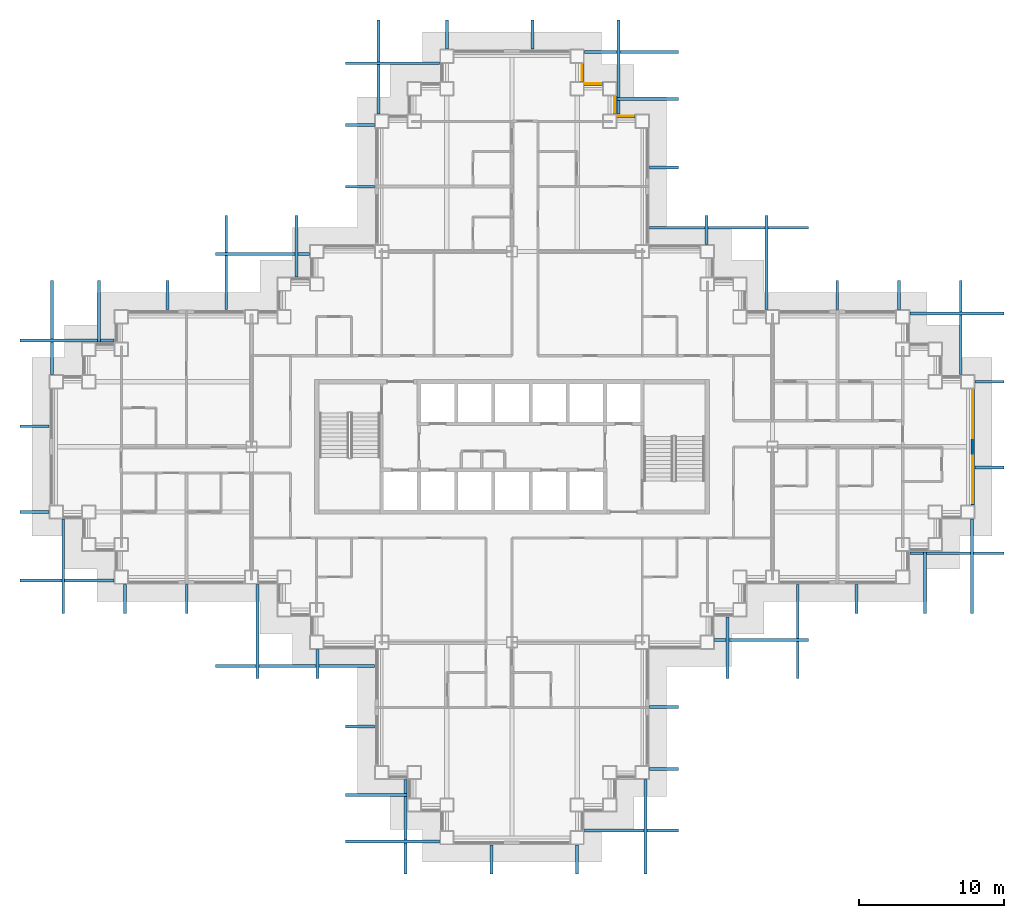
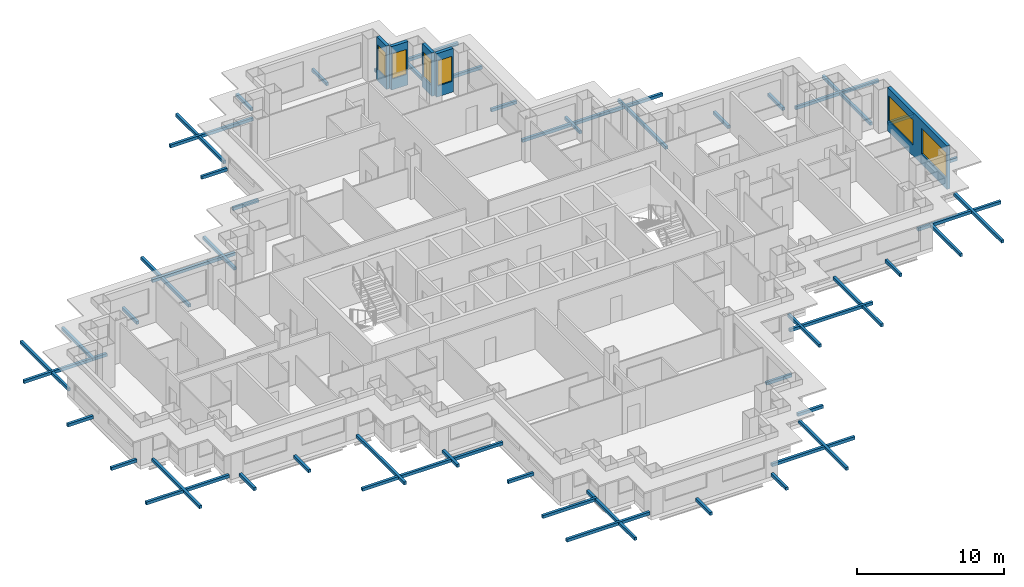
# One storey, part 10 of 15: 52 discrete accessories, 6 windows, 5 walls, 6 openings.
"""IFC4 building model written with IfcOpenShell, lengths in metres."""

from ifc_helpers import new_model, si_unit, direction, frame, frame_2d, origin, origin_2d, place, context, subcontext, project, spatial, rectangle, extrude, material, layer, layer_set, type_object, element, fill, save


model = new_model("IFC4")

# Units and contexts
model_context = context("Model", 3, precision=1e-05, world=origin(), true_north=direction((0.0, 1.0)))
body_context = subcontext(model_context, "Body", "Model", "MODEL_VIEW")
ifc_project = project(units=[si_unit("LENGTHUNIT", "METRE"), si_unit("AREAUNIT", "SQUARE_METRE"), si_unit("VOLUMEUNIT", "CUBIC_METRE"), si_unit("PLANEANGLEUNIT", "RADIAN"), si_unit("MASSUNIT", "GRAM", prefix="KILO")], contexts=[model_context])

# Site, building, storey
site_placement = place(None, origin())
site = spatial("IfcSite", under=ifc_project, at=site_placement, CompositionType="ELEMENT")
building_placement = place(site_placement, origin())
building = spatial("IfcBuilding", under=site, at=building_placement, Name="Caravel Reach Hotel and Residences", CompositionType="ELEMENT")
storey_placement = place(building_placement, frame((0.0, 0.0, 81.60009765625)))
storey = spatial("IfcBuildingStorey", under=building, at=storey_placement, Name="L19", CompositionType="ELEMENT", Elevation=81.60009765625)

# Wall, openings, windows
ifc_material_1 = material(Name="Insulated rainscreen wall, aluminium cladding", Category="aluminium")
ifc_layer = layer(ifc_material_1, 0.25)
ifc_layer_set = layer_set([ifc_layer], Name="EW1 Tower rainscreen wall")
wall_type = type_object("IfcWallType", Name="EW1 Tower rainscreen wall", PredefinedType="SOLIDWALL", material=ifc_layer_set)
wall_1_placement = place(storey_placement, frame((63.35009765625, 22.97509765625, 0.0), z_axis=(0.0, 0.0, 1.0), x_axis=(0.0, 1.0, 0.0)))
wall_1 = element("IfcWall", 1, at=wall_1_placement, inside=storey, type_object=wall_type, Name="External wall L19 E20.1", PredefinedType="SOLIDWALL", context=body_context, shape_type="SweptSolid", body=[
    extrude(rectangle(XDim=8.0498046875, YDim=0.25, at=frame_2d((4.02490234375, 0.0))), origin(), (0.0, 0.0, 1.0), 3.599853515625),
])
opening_1_placement = place(wall_1_placement, frame((0.125, 0.0, 0.89990234375)))
opening_1 = element("IfcOpeningElement", 2, at=opening_1_placement, cuts=wall_1, Name="Opening WN4", PredefinedType="OPENING", context=body_context, shape_type="SweptSolid", body=[
    extrude(rectangle(XDim=3.300048828125, YDim=2.080078125, at=frame_2d((1.64990234375, 1.0400390625))), frame((0.0, 0.135009765625, 0.0), z_axis=(0.0, -1.0, 0.0), x_axis=(1.0, 0.0, 0.0)), (0.0, 0.0, 1.0), 0.27001953125),
])
opening_2_placement = place(wall_1_placement, frame((4.625, 0.0, 0.89990234375)))
opening_2 = element("IfcOpeningElement", 3, at=opening_2_placement, cuts=wall_1, Name="Opening WN4", PredefinedType="OPENING", context=body_context, shape_type="SweptSolid", body=[
    extrude(rectangle(XDim=3.300048828125, YDim=2.080078125, at=frame_2d((1.64990234375, 1.0400390625))), frame((0.0, 0.135009765625, 0.0), z_axis=(0.0, -1.0, 0.0), x_axis=(1.0, 0.0, 0.0)), (0.0, 0.0, 1.0), 0.27001953125),
])
ifc_material_2 = material(Name="Dark low-e glazing in black aluminium frame", Category="aluminium")
window_type_1 = type_object("IfcWindowType", Name="Hotel guest room window 3300 x 2080", PartitioningType="SINGLE_PANEL", PredefinedType="WINDOW", material=ifc_material_2)
window_1_placement = place(opening_1_placement, origin())
window_1 = element("IfcWindow", 4, at=window_1_placement, inside=storey, type_object=window_type_1, Name="Window L19 E20.1.1", OverallHeight=2.080078125, OverallWidth=3.300048828125, PartitioningType="SINGLE_PANEL", PredefinedType="WINDOW", context=body_context, shape_type="SweptSolid", body=[
    extrude(rectangle(XDim=3.300048828125, YDim=2.080078125, at=frame_2d((1.64990234375, 1.0400390625))), frame((0.0, 0.030029296875, 0.0), z_axis=(0.0, -1.0, 0.0), x_axis=(1.0, 0.0, 0.0)), (0.0, 0.0, 1.0), 0.06005859375),
])
fill(opening_1, window_1)
window_2_placement = place(opening_2_placement, origin())
window_2 = element("IfcWindow", 5, at=window_2_placement, inside=storey, type_object=window_type_1, Name="Window L19 E20.1.2", OverallHeight=2.080078125, OverallWidth=3.300048828125, PartitioningType="SINGLE_PANEL", PredefinedType="WINDOW", context=body_context, shape_type="SweptSolid", body=[
    extrude(rectangle(XDim=3.300048828125, YDim=2.080078125, at=frame_2d((1.64990234375, 1.0400390625))), frame((0.0, 0.030029296875, 0.0), z_axis=(0.0, -1.0, 0.0), x_axis=(1.0, 0.0, 0.0)), (0.0, 0.0, 1.0), 0.06005859375),
])
fill(opening_2, window_2)

# Wall, opening, window
wall_2_placement = place(storey_placement, frame((40.02490234375, 49.85009765625, 0.0), z_axis=(0.0, 0.0, 1.0), x_axis=(-1.0, 0.0, 0.0)))
wall_2 = element("IfcWall", 6, at=wall_2_placement, inside=storey, type_object=wall_type, Name="External wall L19 N31.1", PredefinedType="SOLIDWALL", context=body_context, shape_type="SweptSolid", body=[
    extrude(rectangle(XDim=1.2998046875, YDim=0.25, at=frame_2d((0.64990234375, 0.0))), origin(), (0.0, 0.0, 1.0), 3.599853515625),
])
opening_3_placement = place(wall_2_placement, frame((0.10009765625, 0.0, 0.89990234375)))
opening_3 = element("IfcOpeningElement", 7, at=opening_3_placement, cuts=wall_2, Name="Opening WN5", PredefinedType="OPENING", context=body_context, shape_type="SweptSolid", body=[
    extrude(rectangle(XDim=1.10009765625, YDim=2.080078125, at=frame_2d((0.550048828125, 1.0400390625))), frame((0.0, 0.135009765625, 0.0), z_axis=(0.0, -1.0, 0.0), x_axis=(1.0, 0.0, 0.0)), (0.0, 0.0, 1.0), 0.27001953125),
])
ifc_material_3 = material(Name="Dark low-e glazing in black aluminium frame", Category="aluminium")
window_type_2 = type_object("IfcWindowType", Name="Hotel suite corner window 1100 x 2080", PartitioningType="SINGLE_PANEL", PredefinedType="WINDOW", material=ifc_material_3)
window_3_placement = place(opening_3_placement, origin())
window_3 = element("IfcWindow", 8, at=window_3_placement, inside=storey, type_object=window_type_2, Name="Window L19 N31.1.1", OverallHeight=2.080078125, OverallWidth=1.10009765625, PartitioningType="SINGLE_PANEL", PredefinedType="WINDOW", context=body_context, shape_type="SweptSolid", body=[
    extrude(rectangle(XDim=1.10009765625, YDim=2.080078125, at=frame_2d((0.550048828125, 1.0400390625))), frame((0.0, 0.030029296875, 0.0), z_axis=(0.0, -1.0, 0.0), x_axis=(1.0, 0.0, 0.0)), (0.0, 0.0, 1.0), 0.06005859375),
])
fill(opening_3, window_3)

wall_3_placement = place(storey_placement, frame((38.60009765625, 49.97509765625, 0.0), z_axis=(0.0, 0.0, 1.0), x_axis=(0.0, 1.0, 0.0)))
wall_3 = element("IfcWall", 9, at=wall_3_placement, inside=storey, type_object=wall_type, Name="External wall L19 E32.1", PredefinedType="SOLIDWALL", context=body_context, shape_type="SweptSolid", body=[
    extrude(rectangle(XDim=1.2998046875, YDim=0.25, at=frame_2d((0.64990234375, 0.0))), origin(), (0.0, 0.0, 1.0), 3.599853515625),
])
opening_4_placement = place(wall_3_placement, frame((0.10009765625, 0.0, 0.89990234375)))
opening_4 = element("IfcOpeningElement", 10, at=opening_4_placement, cuts=wall_3, Name="Opening WN5", PredefinedType="OPENING", context=body_context, shape_type="SweptSolid", body=[
    extrude(rectangle(XDim=1.10009765625, YDim=2.080078125, at=frame_2d((0.550048828125, 1.0400390625))), frame((0.0, 0.135009765625, 0.0), z_axis=(0.0, -1.0, 0.0), x_axis=(1.0, 0.0, 0.0)), (0.0, 0.0, 1.0), 0.27001953125),
])
window_4_placement = place(opening_4_placement, origin())
window_4 = element("IfcWindow", 11, at=window_4_placement, inside=storey, type_object=window_type_2, Name="Window L19 E32.1.1", OverallHeight=2.080078125, OverallWidth=1.10009765625, PartitioningType="SINGLE_PANEL", PredefinedType="WINDOW", context=body_context, shape_type="SweptSolid", body=[
    extrude(rectangle(XDim=1.10009765625, YDim=2.080078125, at=frame_2d((0.550048828125, 1.0400390625))), frame((0.0, 0.030029296875, 0.0), z_axis=(0.0, -1.0, 0.0), x_axis=(1.0, 0.0, 0.0)), (0.0, 0.0, 1.0), 0.06005859375),
])
fill(opening_4, window_4)

wall_4_placement = place(storey_placement, frame((37.77490234375, 52.10009765625, 0.0), z_axis=(0.0, 0.0, 1.0), x_axis=(-1.0, 0.0, 0.0)))
wall_4 = element("IfcWall", 12, at=wall_4_placement, inside=storey, type_object=wall_type, Name="External wall L19 N33.1", PredefinedType="SOLIDWALL", context=body_context, shape_type="SweptSolid", body=[
    extrude(rectangle(XDim=1.2998046875, YDim=0.25, at=frame_2d((0.64990234375, 0.0))), origin(), (0.0, 0.0, 1.0), 3.599853515625),
])
opening_5_placement = place(wall_4_placement, frame((0.10009765625, 0.0, 0.89990234375)))
opening_5 = element("IfcOpeningElement", 13, at=opening_5_placement, cuts=wall_4, Name="Opening WN5", PredefinedType="OPENING", context=body_context, shape_type="SweptSolid", body=[
    extrude(rectangle(XDim=1.10009765625, YDim=2.080078125, at=frame_2d((0.550048828125, 1.0400390625))), frame((0.0, 0.135009765625, 0.0), z_axis=(0.0, -1.0, 0.0), x_axis=(1.0, 0.0, 0.0)), (0.0, 0.0, 1.0), 0.27001953125),
])
window_5_placement = place(opening_5_placement, origin())
window_5 = element("IfcWindow", 14, at=window_5_placement, inside=storey, type_object=window_type_2, Name="Window L19 N33.1.1", OverallHeight=2.080078125, OverallWidth=1.10009765625, PartitioningType="SINGLE_PANEL", PredefinedType="WINDOW", context=body_context, shape_type="SweptSolid", body=[
    extrude(rectangle(XDim=1.10009765625, YDim=2.080078125, at=frame_2d((0.550048828125, 1.0400390625))), frame((0.0, 0.030029296875, 0.0), z_axis=(0.0, -1.0, 0.0), x_axis=(1.0, 0.0, 0.0)), (0.0, 0.0, 1.0), 0.06005859375),
])
fill(opening_5, window_5)

wall_5_placement = place(storey_placement, frame((36.35009765625, 52.22509765625, 0.0), z_axis=(0.0, 0.0, 1.0), x_axis=(0.0, 1.0, 0.0)))
wall_5 = element("IfcWall", 15, at=wall_5_placement, inside=storey, type_object=wall_type, Name="External wall L19 E34.1", PredefinedType="SOLIDWALL", context=body_context, shape_type="SweptSolid", body=[
    extrude(rectangle(XDim=1.2998046875, YDim=0.25, at=frame_2d((0.64990234375, 0.0))), origin(), (0.0, 0.0, 1.0), 3.599853515625),
])
opening_6_placement = place(wall_5_placement, frame((0.10009765625, 0.0, 0.89990234375)))
opening_6 = element("IfcOpeningElement", 16, at=opening_6_placement, cuts=wall_5, Name="Opening WN5", PredefinedType="OPENING", context=body_context, shape_type="SweptSolid", body=[
    extrude(rectangle(XDim=1.10009765625, YDim=2.080078125, at=frame_2d((0.550048828125, 1.0400390625))), frame((0.0, 0.135009765625, 0.0), z_axis=(0.0, -1.0, 0.0), x_axis=(1.0, 0.0, 0.0)), (0.0, 0.0, 1.0), 0.27001953125),
])
window_6_placement = place(opening_6_placement, origin())
window_6 = element("IfcWindow", 17, at=window_6_placement, inside=storey, type_object=window_type_2, Name="Window L19 E34.1.1", OverallHeight=2.080078125, OverallWidth=1.10009765625, PartitioningType="SINGLE_PANEL", PredefinedType="WINDOW", context=body_context, shape_type="SweptSolid", body=[
    extrude(rectangle(XDim=1.10009765625, YDim=2.080078125, at=frame_2d((0.550048828125, 1.0400390625))), frame((0.0, 0.030029296875, 0.0), z_axis=(0.0, -1.0, 0.0), x_axis=(1.0, 0.0, 0.0)), (0.0, 0.0, 1.0), 0.06005859375),
])
fill(opening_6, window_6)

# Discrete accessories
ifc_material_4 = material(Name="Black powder-coated aluminium", Category="aluminium")
discrete_accessory_type = type_object("IfcDiscreteAccessoryType", Name="BR1 Screen bracket", PredefinedType="BRACKET", material=ifc_material_4)
discrete_accessory_1_placement = place(storey_placement, frame((21.0, 7.686767578125, 0.099853515625), z_axis=(0.0, 0.0, 1.0), x_axis=(-1.0, 0.0, 0.0)))
element("IfcDiscreteAccessory", 18, at=discrete_accessory_1_placement, inside=storey, type_object=discrete_accessory_type, Name="Screen bracket L19 1.1.2", PredefinedType="BRACKET", context=body_context, shape_type="SweptSolid", body=[
    extrude(rectangle(XDim=2.0, YDim=0.199951171875, at=origin_2d()), origin(), (0.0, 0.0, 1.0), 0.25),
])
discrete_accessory_2_placement = place(storey_placement, frame((22.125, 2.953369140625, 0.099853515625), z_axis=(0.0, 0.0, 1.0), x_axis=(-1.0, 0.0, 0.0)))
element("IfcDiscreteAccessory", 19, at=discrete_accessory_2_placement, inside=storey, type_object=discrete_accessory_type, Name="Screen bracket L19 1.2.2", PredefinedType="BRACKET", context=body_context, shape_type="SweptSolid", body=[
    extrude(rectangle(XDim=4.25, YDim=0.199951171875, at=origin_2d()), origin(), (0.0, 0.0, 1.0), 0.25),
])
for number, where, z_axis, x_axis, name in (
    (20, (23.25, -0.280029296875, 0.099853515625), (0.0, 0.0, 1.0), (-1.0, 0.0, 0.0), "Screen bracket L19 1.3.2"),
    (21, (24.1474609375, 0.75, 0.099853515625), (0.0, 0.0, 1.0), (0.0, -1.0, 0.0), "Screen bracket L19 2.1.2"),
):
    element("IfcDiscreteAccessory", number, at=place(storey_placement, frame(where, z_axis=z_axis, x_axis=x_axis)), inside=storey, type_object=discrete_accessory_type, Name=name, PredefinedType="BRACKET", context=body_context, shape_type="SweptSolid", body=[
        extrude(rectangle(XDim=6.5, YDim=0.199951171875, at=origin_2d()), origin(), (0.0, 0.0, 1.0), 0.25),
    ])
for number, where, z_axis, x_axis, name in (
    (22, (30.072509765625, -1.5, 0.099853515625), (0.0, 0.0, 1.0), (0.0, -1.0, 0.0), "Screen bracket L19 2.2.2"),
    (23, (35.99755859375, -1.5, 0.099853515625), (0.0, 0.0, 1.0), (0.0, -1.0, 0.0), "Screen bracket L19 2.3.2"),
):
    element("IfcDiscreteAccessory", number, at=place(storey_placement, frame(where, z_axis=z_axis, x_axis=x_axis)), inside=storey, type_object=discrete_accessory_type, Name=name, PredefinedType="BRACKET", context=body_context, shape_type="SweptSolid", body=[
        extrude(rectangle(XDim=2.0, YDim=0.199951171875, at=origin_2d()), origin(), (0.0, 0.0, 1.0), 0.25),
    ])
for number, where, z_axis, x_axis, name in (
    (24, (40.722412109375, 0.75, 0.099853515625), (0.0, 0.0, 1.0), (0.0, -1.0, 0.0), "Screen bracket L19 2.4.2"),
    (25, (39.75, 0.486572265625, 0.099853515625), (0.0, 0.0, 1.0), (1.0, 0.0, 0.0), "Screen bracket L19 3.1.2"),
):
    element("IfcDiscreteAccessory", number, at=place(storey_placement, frame(where, z_axis=z_axis, x_axis=x_axis)), inside=storey, type_object=discrete_accessory_type, Name=name, PredefinedType="BRACKET", context=body_context, shape_type="SweptSolid", body=[
        extrude(rectangle(XDim=6.5, YDim=0.199951171875, at=origin_2d()), origin(), (0.0, 0.0, 1.0), 0.25),
    ])
for number, where, z_axis, x_axis, name in (
    (26, (42.0, 4.75341796875, 0.099853515625), (0.0, 0.0, 1.0), (1.0, 0.0, 0.0), "Screen bracket L19 3.2.2"),
    (27, (42.0, 9.02001953125, 0.099853515625), (0.0, 0.0, 1.0), (1.0, 0.0, 0.0), "Screen bracket L19 3.3.2"),
):
    element("IfcDiscreteAccessory", number, at=place(storey_placement, frame(where, z_axis=z_axis, x_axis=x_axis)), inside=storey, type_object=discrete_accessory_type, Name=name, PredefinedType="BRACKET", context=body_context, shape_type="SweptSolid", body=[
        extrude(rectangle(XDim=2.0, YDim=0.199951171875, at=origin_2d()), origin(), (0.0, 0.0, 1.0), 0.25),
    ])
discrete_accessory_3_placement = place(storey_placement, frame((46.39501953125, 13.125, 0.099853515625), z_axis=(0.0, 0.0, 1.0), x_axis=(0.0, -1.0, 0.0)))
element("IfcDiscreteAccessory", 28, at=discrete_accessory_3_placement, inside=storey, type_object=discrete_accessory_type, Name="Screen bracket L19 4.1.2", PredefinedType="BRACKET", context=body_context, shape_type="SweptSolid", body=[
    extrude(rectangle(XDim=4.25, YDim=0.199951171875, at=origin_2d()), origin(), (0.0, 0.0, 1.0), 0.25),
])
for number, where, z_axis, x_axis, name in (
    (29, (51.2451171875, 14.25, 0.099853515625), (0.0, 0.0, 1.0), (0.0, -1.0, 0.0), "Screen bracket L19 4.2.2"),
    (30, (48.75, 13.659912109375, 0.099853515625), (0.0, 0.0, 1.0), (1.0, 0.0, 0.0), "Screen bracket L19 5.1.2"),
):
    element("IfcDiscreteAccessory", number, at=place(storey_placement, frame(where, z_axis=z_axis, x_axis=x_axis)), inside=storey, type_object=discrete_accessory_type, Name=name, PredefinedType="BRACKET", context=body_context, shape_type="SweptSolid", body=[
        extrude(rectangle(XDim=6.5, YDim=0.199951171875, at=origin_2d()), origin(), (0.0, 0.0, 1.0), 0.25),
    ])
discrete_accessory_4_placement = place(storey_placement, frame((55.313232421875, 16.5, 0.099853515625), z_axis=(0.0, 0.0, 1.0), x_axis=(0.0, -1.0, 0.0)))
element("IfcDiscreteAccessory", 31, at=discrete_accessory_4_placement, inside=storey, type_object=discrete_accessory_type, Name="Screen bracket L19 6.1.2", PredefinedType="BRACKET", context=body_context, shape_type="SweptSolid", body=[
    extrude(rectangle(XDim=2.0, YDim=0.199951171875, at=origin_2d()), origin(), (0.0, 0.0, 1.0), 0.25),
])
discrete_accessory_5_placement = place(storey_placement, frame((60.046630859375, 17.625, 0.099853515625), z_axis=(0.0, 0.0, 1.0), x_axis=(0.0, -1.0, 0.0)))
element("IfcDiscreteAccessory", 32, at=discrete_accessory_5_placement, inside=storey, type_object=discrete_accessory_type, Name="Screen bracket L19 6.2.2", PredefinedType="BRACKET", context=body_context, shape_type="SweptSolid", body=[
    extrude(rectangle(XDim=4.25, YDim=0.199951171875, at=origin_2d()), origin(), (0.0, 0.0, 1.0), 0.25),
])
for number, where, z_axis, x_axis, name in (
    (33, (63.280029296875, 18.75, 0.099853515625), (0.0, 0.0, 1.0), (0.0, -1.0, 0.0), "Screen bracket L19 6.3.2"),
    (34, (62.25, 19.6474609375, 0.099853515625), (0.0, 0.0, 1.0), (1.0, 0.0, 0.0), "Screen bracket L19 7.1.2"),
):
    element("IfcDiscreteAccessory", number, at=place(storey_placement, frame(where, z_axis=z_axis, x_axis=x_axis)), inside=storey, type_object=discrete_accessory_type, Name=name, PredefinedType="BRACKET", context=body_context, shape_type="SweptSolid", body=[
        extrude(rectangle(XDim=6.5, YDim=0.199951171875, at=origin_2d()), origin(), (0.0, 0.0, 1.0), 0.25),
    ])
for number, where, z_axis, x_axis, name in (
    (35, (64.5, 25.572509765625, 0.099853515625), (0.0, 0.0, 1.0), (1.0, 0.0, 0.0), "Screen bracket L19 7.2.2"),
    (36, (64.5, 31.49755859375, 0.099853515625), (0.0, 0.0, 1.0), (1.0, 0.0, 0.0), "Screen bracket L19 7.3.2"),
):
    element("IfcDiscreteAccessory", number, at=place(storey_placement, frame(where, z_axis=z_axis, x_axis=x_axis)), inside=storey, type_object=discrete_accessory_type, Name=name, PredefinedType="BRACKET", context=body_context, shape_type="SweptSolid", body=[
        extrude(rectangle(XDim=2.0, YDim=0.199951171875, at=origin_2d()), origin(), (0.0, 0.0, 1.0), 0.25),
    ])
for number, where, z_axis, x_axis, name in (
    (37, (62.25, 36.222412109375, 0.099853515625), (0.0, 0.0, 1.0), (1.0, 0.0, 0.0), "Screen bracket L19 7.4.2"),
    (38, (62.513427734375, 35.25, 0.099853515625), (0.0, 0.0, 1.0), (0.0, 1.0, 0.0), "Screen bracket L19 8.1.2"),
):
    element("IfcDiscreteAccessory", number, at=place(storey_placement, frame(where, z_axis=z_axis, x_axis=x_axis)), inside=storey, type_object=discrete_accessory_type, Name=name, PredefinedType="BRACKET", context=body_context, shape_type="SweptSolid", body=[
        extrude(rectangle(XDim=6.5, YDim=0.199951171875, at=origin_2d()), origin(), (0.0, 0.0, 1.0), 0.25),
    ])
for number, where, z_axis, x_axis, name in (
    (39, (58.24658203125, 37.5, 0.099853515625), (0.0, 0.0, 1.0), (0.0, 1.0, 0.0), "Screen bracket L19 8.2.2"),
    (40, (53.97998046875, 37.5, 0.099853515625), (0.0, 0.0, 1.0), (0.0, 1.0, 0.0), "Screen bracket L19 8.3.2"),
):
    element("IfcDiscreteAccessory", number, at=place(storey_placement, frame(where, z_axis=z_axis, x_axis=x_axis)), inside=storey, type_object=discrete_accessory_type, Name=name, PredefinedType="BRACKET", context=body_context, shape_type="SweptSolid", body=[
        extrude(rectangle(XDim=2.0, YDim=0.199951171875, at=origin_2d()), origin(), (0.0, 0.0, 1.0), 0.25),
    ])
discrete_accessory_6_placement = place(storey_placement, frame((46.5, 42.139892578125, 0.099853515625), z_axis=(0.0, 0.0, 1.0), x_axis=(1.0, 0.0, 0.0)))
element("IfcDiscreteAccessory", 41, at=discrete_accessory_6_placement, inside=storey, type_object=discrete_accessory_type, Name="Screen bracket L19 9.1.2", PredefinedType="BRACKET", context=body_context, shape_type="SweptSolid", body=[
    extrude(rectangle(XDim=11.0, YDim=0.199951171875, at=origin_2d()), origin(), (0.0, 0.0, 1.0), 0.25),
])
discrete_accessory_7_placement = place(storey_placement, frame((49.094970703125, 39.75, 0.099853515625), z_axis=(0.0, 0.0, 1.0), x_axis=(0.0, 1.0, 0.0)))
element("IfcDiscreteAccessory", 42, at=discrete_accessory_7_placement, inside=storey, type_object=discrete_accessory_type, Name="Screen bracket L19 10.1.2", PredefinedType="BRACKET", context=body_context, shape_type="SweptSolid", body=[
    extrude(rectangle(XDim=6.5, YDim=0.199951171875, at=origin_2d()), origin(), (0.0, 0.0, 1.0), 0.25),
])
for number, where, z_axis, x_axis, name in (
    (43, (44.945068359375, 42.0, 0.099853515625), (0.0, 0.0, 1.0), (0.0, 1.0, 0.0), "Screen bracket L19 10.2.2"),
    (44, (42.0, 46.313232421875, 0.099853515625), (0.0, 0.0, 1.0), (1.0, 0.0, 0.0), "Screen bracket L19 11.1.2"),
):
    element("IfcDiscreteAccessory", number, at=place(storey_placement, frame(where, z_axis=z_axis, x_axis=x_axis)), inside=storey, type_object=discrete_accessory_type, Name=name, PredefinedType="BRACKET", context=body_context, shape_type="SweptSolid", body=[
        extrude(rectangle(XDim=2.0, YDim=0.199951171875, at=origin_2d()), origin(), (0.0, 0.0, 1.0), 0.25),
    ])
discrete_accessory_8_placement = place(storey_placement, frame((40.875, 51.046630859375, 0.099853515625), z_axis=(0.0, 0.0, 1.0), x_axis=(1.0, 0.0, 0.0)))
element("IfcDiscreteAccessory", 45, at=discrete_accessory_8_placement, inside=storey, type_object=discrete_accessory_type, Name="Screen bracket L19 11.2.2", PredefinedType="BRACKET", context=body_context, shape_type="SweptSolid", body=[
    extrude(rectangle(XDim=4.25, YDim=0.199951171875, at=origin_2d()), origin(), (0.0, 0.0, 1.0), 0.25),
])
for number, where, z_axis, x_axis, name in (
    (46, (39.75, 54.280029296875, 0.099853515625), (0.0, 0.0, 1.0), (1.0, 0.0, 0.0), "Screen bracket L19 11.3.2"),
    (47, (38.8525390625, 53.25, 0.099853515625), (0.0, 0.0, 1.0), (0.0, 1.0, 0.0), "Screen bracket L19 12.1.2"),
):
    element("IfcDiscreteAccessory", number, at=place(storey_placement, frame(where, z_axis=z_axis, x_axis=x_axis)), inside=storey, type_object=discrete_accessory_type, Name=name, PredefinedType="BRACKET", context=body_context, shape_type="SweptSolid", body=[
        extrude(rectangle(XDim=6.5, YDim=0.199951171875, at=origin_2d()), origin(), (0.0, 0.0, 1.0), 0.25),
    ])
for number, where, z_axis, x_axis, name in (
    (48, (32.927490234375, 55.5, 0.099853515625), (0.0, 0.0, 1.0), (0.0, 1.0, 0.0), "Screen bracket L19 12.2.2"),
    (49, (27.00244140625, 55.5, 0.099853515625), (0.0, 0.0, 1.0), (0.0, 1.0, 0.0), "Screen bracket L19 12.3.2"),
):
    element("IfcDiscreteAccessory", number, at=place(storey_placement, frame(where, z_axis=z_axis, x_axis=x_axis)), inside=storey, type_object=discrete_accessory_type, Name=name, PredefinedType="BRACKET", context=body_context, shape_type="SweptSolid", body=[
        extrude(rectangle(XDim=2.0, YDim=0.199951171875, at=origin_2d()), origin(), (0.0, 0.0, 1.0), 0.25),
    ])
for number, where, z_axis, x_axis, name in (
    (50, (22.277587890625, 53.25, 0.099853515625), (0.0, 0.0, 1.0), (0.0, 1.0, 0.0), "Screen bracket L19 12.4.2"),
    (51, (23.25, 53.513427734375, 0.099853515625), (0.0, 0.0, 1.0), (-1.0, 0.0, 0.0), "Screen bracket L19 13.1.2"),
):
    element("IfcDiscreteAccessory", number, at=place(storey_placement, frame(where, z_axis=z_axis, x_axis=x_axis)), inside=storey, type_object=discrete_accessory_type, Name=name, PredefinedType="BRACKET", context=body_context, shape_type="SweptSolid", body=[
        extrude(rectangle(XDim=6.5, YDim=0.199951171875, at=origin_2d()), origin(), (0.0, 0.0, 1.0), 0.25),
    ])
for number, where, z_axis, x_axis, name in (
    (52, (21.0, 49.24658203125, 0.099853515625), (0.0, 0.0, 1.0), (-1.0, 0.0, 0.0), "Screen bracket L19 13.2.2"),
    (53, (21.0, 44.97998046875, 0.099853515625), (0.0, 0.0, 1.0), (-1.0, 0.0, 0.0), "Screen bracket L19 13.3.2"),
):
    element("IfcDiscreteAccessory", number, at=place(storey_placement, frame(where, z_axis=z_axis, x_axis=x_axis)), inside=storey, type_object=discrete_accessory_type, Name=name, PredefinedType="BRACKET", context=body_context, shape_type="SweptSolid", body=[
        extrude(rectangle(XDim=2.0, YDim=0.199951171875, at=origin_2d()), origin(), (0.0, 0.0, 1.0), 0.25),
    ])
discrete_accessory_9_placement = place(storey_placement, frame((16.60498046875, 40.875, 0.099853515625), z_axis=(0.0, 0.0, 1.0), x_axis=(0.0, 1.0, 0.0)))
element("IfcDiscreteAccessory", 54, at=discrete_accessory_9_placement, inside=storey, type_object=discrete_accessory_type, Name="Screen bracket L19 14.1.2", PredefinedType="BRACKET", context=body_context, shape_type="SweptSolid", body=[
    extrude(rectangle(XDim=4.25, YDim=0.199951171875, at=origin_2d()), origin(), (0.0, 0.0, 1.0), 0.25),
])
for number, where, z_axis, x_axis, name in (
    (55, (11.7548828125, 39.75, 0.099853515625), (0.0, 0.0, 1.0), (0.0, 1.0, 0.0), "Screen bracket L19 14.2.2"),
    (56, (14.25, 40.340087890625, 0.099853515625), (0.0, 0.0, 1.0), (-1.0, 0.0, 0.0), "Screen bracket L19 15.1.2"),
):
    element("IfcDiscreteAccessory", number, at=place(storey_placement, frame(where, z_axis=z_axis, x_axis=x_axis)), inside=storey, type_object=discrete_accessory_type, Name=name, PredefinedType="BRACKET", context=body_context, shape_type="SweptSolid", body=[
        extrude(rectangle(XDim=6.5, YDim=0.199951171875, at=origin_2d()), origin(), (0.0, 0.0, 1.0), 0.25),
    ])
discrete_accessory_10_placement = place(storey_placement, frame((7.686767578125, 37.5, 0.099853515625), z_axis=(0.0, 0.0, 1.0), x_axis=(0.0, 1.0, 0.0)))
element("IfcDiscreteAccessory", 57, at=discrete_accessory_10_placement, inside=storey, type_object=discrete_accessory_type, Name="Screen bracket L19 16.1.2", PredefinedType="BRACKET", context=body_context, shape_type="SweptSolid", body=[
    extrude(rectangle(XDim=2.0, YDim=0.199951171875, at=origin_2d()), origin(), (0.0, 0.0, 1.0), 0.25),
])
discrete_accessory_11_placement = place(storey_placement, frame((2.953369140625, 36.375, 0.099853515625), z_axis=(0.0, 0.0, 1.0), x_axis=(0.0, 1.0, 0.0)))
element("IfcDiscreteAccessory", 58, at=discrete_accessory_11_placement, inside=storey, type_object=discrete_accessory_type, Name="Screen bracket L19 16.2.2", PredefinedType="BRACKET", context=body_context, shape_type="SweptSolid", body=[
    extrude(rectangle(XDim=4.25, YDim=0.199951171875, at=origin_2d()), origin(), (0.0, 0.0, 1.0), 0.25),
])
for number, where, z_axis, x_axis, name in (
    (59, (-0.280029296875, 35.25, 0.099853515625), (0.0, 0.0, 1.0), (0.0, 1.0, 0.0), "Screen bracket L19 16.3.2"),
    (60, (0.75, 34.3525390625, 0.099853515625), (0.0, 0.0, 1.0), (-1.0, 0.0, 0.0), "Screen bracket L19 17.1.2"),
):
    element("IfcDiscreteAccessory", number, at=place(storey_placement, frame(where, z_axis=z_axis, x_axis=x_axis)), inside=storey, type_object=discrete_accessory_type, Name=name, PredefinedType="BRACKET", context=body_context, shape_type="SweptSolid", body=[
        extrude(rectangle(XDim=6.5, YDim=0.199951171875, at=origin_2d()), origin(), (0.0, 0.0, 1.0), 0.25),
    ])
for number, where, z_axis, x_axis, name in (
    (61, (-1.5, 28.427490234375, 0.099853515625), (0.0, 0.0, 1.0), (-1.0, 0.0, 0.0), "Screen bracket L19 17.2.2"),
    (62, (-1.5, 22.50244140625, 0.099853515625), (0.0, 0.0, 1.0), (-1.0, 0.0, 0.0), "Screen bracket L19 17.3.2"),
):
    element("IfcDiscreteAccessory", number, at=place(storey_placement, frame(where, z_axis=z_axis, x_axis=x_axis)), inside=storey, type_object=discrete_accessory_type, Name=name, PredefinedType="BRACKET", context=body_context, shape_type="SweptSolid", body=[
        extrude(rectangle(XDim=2.0, YDim=0.199951171875, at=origin_2d()), origin(), (0.0, 0.0, 1.0), 0.25),
    ])
for number, where, z_axis, x_axis, name in (
    (63, (0.75, 17.777587890625, 0.099853515625), (0.0, 0.0, 1.0), (-1.0, 0.0, 0.0), "Screen bracket L19 17.4.2"),
    (64, (0.486572265625, 18.75, 0.099853515625), (0.0, 0.0, 1.0), (0.0, -1.0, 0.0), "Screen bracket L19 18.1.2"),
):
    element("IfcDiscreteAccessory", number, at=place(storey_placement, frame(where, z_axis=z_axis, x_axis=x_axis)), inside=storey, type_object=discrete_accessory_type, Name=name, PredefinedType="BRACKET", context=body_context, shape_type="SweptSolid", body=[
        extrude(rectangle(XDim=6.5, YDim=0.199951171875, at=origin_2d()), origin(), (0.0, 0.0, 1.0), 0.25),
    ])
for number, where, z_axis, x_axis, name in (
    (65, (4.75341796875, 16.5, 0.099853515625), (0.0, 0.0, 1.0), (0.0, -1.0, 0.0), "Screen bracket L19 18.2.2"),
    (66, (9.02001953125, 16.5, 0.099853515625), (0.0, 0.0, 1.0), (0.0, -1.0, 0.0), "Screen bracket L19 18.3.2"),
):
    element("IfcDiscreteAccessory", number, at=place(storey_placement, frame(where, z_axis=z_axis, x_axis=x_axis)), inside=storey, type_object=discrete_accessory_type, Name=name, PredefinedType="BRACKET", context=body_context, shape_type="SweptSolid", body=[
        extrude(rectangle(XDim=2.0, YDim=0.199951171875, at=origin_2d()), origin(), (0.0, 0.0, 1.0), 0.25),
    ])
discrete_accessory_12_placement = place(storey_placement, frame((16.5, 11.860107421875, 0.099853515625), z_axis=(0.0, 0.0, 1.0), x_axis=(-1.0, 0.0, 0.0)))
element("IfcDiscreteAccessory", 67, at=discrete_accessory_12_placement, inside=storey, type_object=discrete_accessory_type, Name="Screen bracket L19 19.1.2", PredefinedType="BRACKET", context=body_context, shape_type="SweptSolid", body=[
    extrude(rectangle(XDim=11.0, YDim=0.199951171875, at=origin_2d()), origin(), (0.0, 0.0, 1.0), 0.25),
])
discrete_accessory_13_placement = place(storey_placement, frame((13.905029296875, 14.25, 0.099853515625), z_axis=(0.0, 0.0, 1.0), x_axis=(0.0, -1.0, 0.0)))
element("IfcDiscreteAccessory", 68, at=discrete_accessory_13_placement, inside=storey, type_object=discrete_accessory_type, Name="Screen bracket L19 20.1.2", PredefinedType="BRACKET", context=body_context, shape_type="SweptSolid", body=[
    extrude(rectangle(XDim=6.5, YDim=0.199951171875, at=origin_2d()), origin(), (0.0, 0.0, 1.0), 0.25),
])
discrete_accessory_14_placement = place(storey_placement, frame((18.054931640625, 12.0, 0.099853515625), z_axis=(0.0, 0.0, 1.0), x_axis=(0.0, -1.0, 0.0)))
element("IfcDiscreteAccessory", 69, at=discrete_accessory_14_placement, inside=storey, type_object=discrete_accessory_type, Name="Screen bracket L19 20.2.2", PredefinedType="BRACKET", context=body_context, shape_type="SweptSolid", body=[
    extrude(rectangle(XDim=2.0, YDim=0.199951171875, at=origin_2d()), origin(), (0.0, 0.0, 1.0), 0.25),
])

save(model, "model.ifc")
